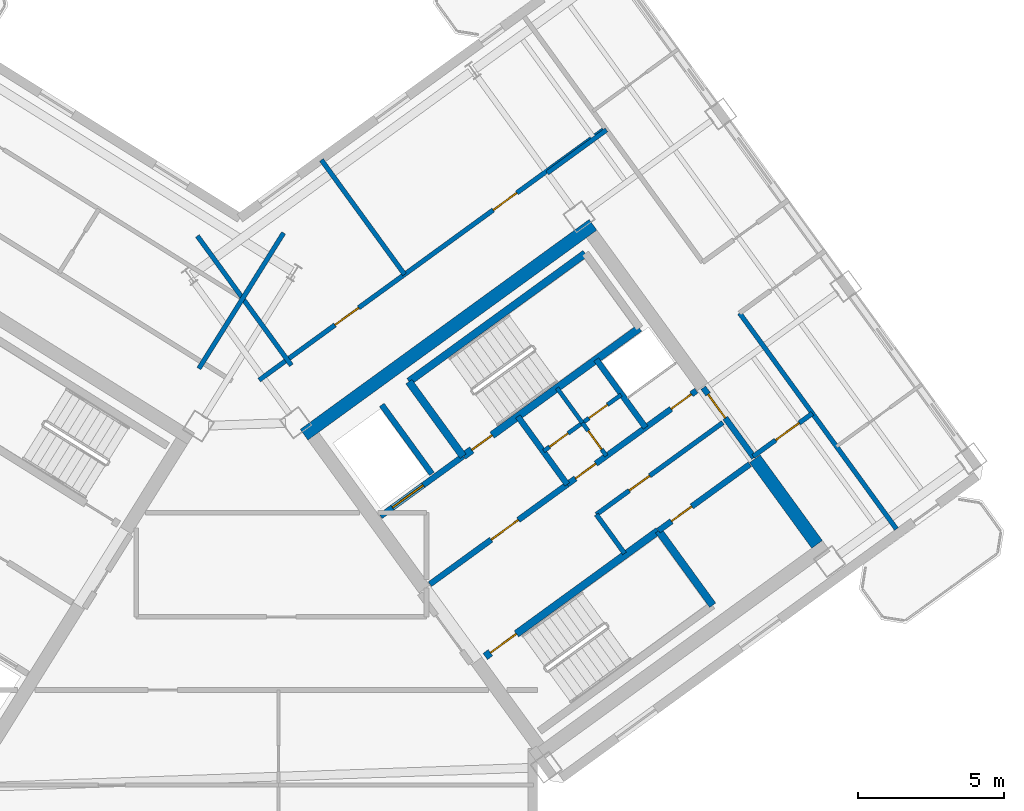
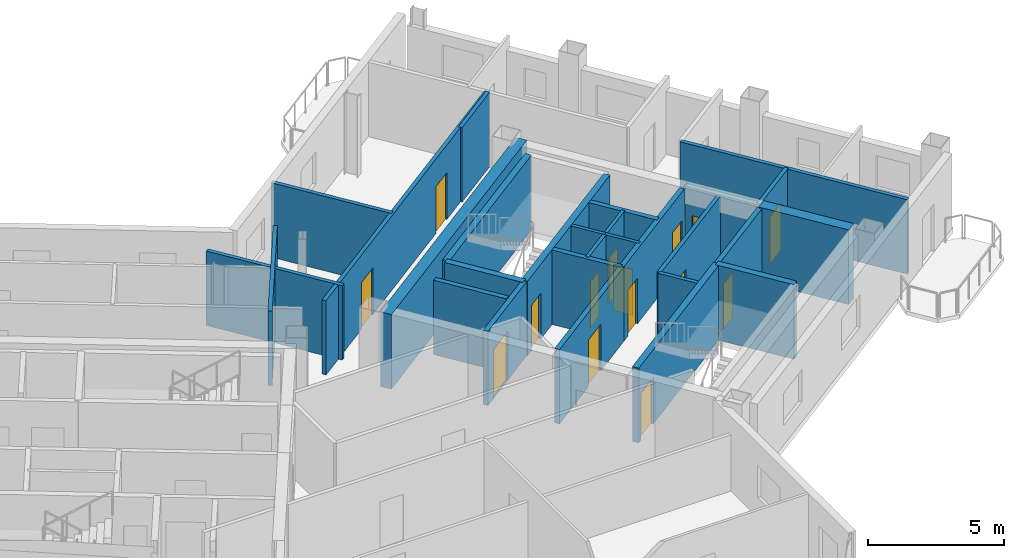
# One storey, part 14 of 20: 27 walls, 15 doors, 15 openings.
"""IFC4 building model written with IfcOpenShell, lengths in metres."""

from ifc_helpers import new_model, si_unit, direction, frame, frame_2d, origin, place, context, subcontext, project, spatial, rectangle, extrude, source, transform, mapped, material, layer, layer_set, type_object, element, fill, save


model = new_model("IFC4")

# Units and contexts
model_context = context("Model", 3, precision=1e-05, world=origin(), true_north=direction((0.0, 1.0)))
body_context = subcontext(model_context, "Body", "Model", "MODEL_VIEW")
ifc_project = project(units=[si_unit("LENGTHUNIT", "METRE"), si_unit("AREAUNIT", "SQUARE_METRE"), si_unit("VOLUMEUNIT", "CUBIC_METRE"), si_unit("PLANEANGLEUNIT", "RADIAN"), si_unit("MASSUNIT", "GRAM", prefix="KILO")], contexts=[model_context])

# Site, building, storey
site_placement = place(None, origin())
site = spatial("IfcSite", under=ifc_project, at=site_placement, CompositionType="ELEMENT")
building_placement = place(site_placement, origin())
building = spatial("IfcBuilding", under=site, at=building_placement, Name="Tlacorven Tower", CompositionType="ELEMENT")
storey_placement = place(building_placement, frame((0.0, 0.0, 211.199951171875)))
storey = spatial("IfcBuildingStorey", under=building, at=storey_placement, Name="L53", CompositionType="ELEMENT", Elevation=211.199951171875)

# Walls
ifc_material_1 = material(Name="Concrete C50/60", Category="concrete")
ifc_layer_1 = layer(ifc_material_1, 0.449951171875)
ifc_layer_set_1 = layer_set([ifc_layer_1], Name="Concrete C50/60")
wall_type_1 = type_object("IfcWallType", Name="WL-COR-450", PredefinedType="SHEAR", material=ifc_layer_set_1)
wall_1_placement = place(storey_placement, frame((44.405517578125, 24.171630859375, 0.0), z_axis=(0.0, 0.0, 1.0), x_axis=(0.809012867805, 0.587790931986, 0.0)))
element("IfcWall", 1, at=wall_1_placement, inside=storey, type_object=wall_type_1, Name="L53 E core shear wall S2", PredefinedType="SHEAR", context=body_context, shape_type="SweptSolid", body=[
    extrude(rectangle(XDim=12.239990234375, YDim=0.449951171875, at=frame_2d((6.1201171875, 0.0))), origin(), (0.0, 0.0, 1.0), 3.35009765625),
])
wall_2_placement = place(storey_placement, frame((61.987548828125, 20.413330078125, 0.0), z_axis=(0.0, 0.0, 1.0), x_axis=(-0.587819244441, 0.808992296542, 0.0)))
element("IfcWall", 2, at=wall_2_placement, inside=storey, type_object=wall_type_1, Name="L53 E core end wall E2.1", PredefinedType="SHEAR", context=body_context, shape_type="SweptSolid", body=[
    extrude(rectangle(XDim=3.625, YDim=0.449951171875, at=frame_2d((1.8125, 0.0))), origin(), (0.0, 0.0, 1.0), 3.35009765625),
])

# Wall, opening, door
ifc_material_2 = material(Name="Gypsum plasterboard acoustic partition", Category="gypsum")
ifc_layer_2 = layer(ifc_material_2, 0.159912109375)
ifc_layer_set_2 = layer_set([ifc_layer_2], Name="Gypsum plasterboard acoustic partition")
wall_type_2 = type_object("IfcWallType", Name="WL-DEM-160", PredefinedType="PARTITIONING", material=ifc_layer_set_2)
wall_3_placement = place(storey_placement, frame((54.421142578125, 21.436279296875, 0.0), z_axis=(0.0, 0.0, 1.0), x_axis=(0.809013710463, 0.587789772183, 0.0)))
wall_3 = element("IfcWall", 3, at=wall_3_placement, inside=storey, type_object=wall_type_2, Name="L53 partition 29", PredefinedType="PARTITIONING", context=body_context, shape_type="SweptSolid", body=[
    extrude(rectangle(XDim=5.360107421875, YDim=0.159912109375, at=frame_2d((2.68017578125, 0.0))), origin(), (0.0, 0.0, 1.0), 3.340087890625),
])
opening_1_placement = place(wall_3_placement, frame((1.39990234375, 0.0, 0.0)))
opening_1 = element("IfcOpeningElement", 4, at=opening_1_placement, cuts=wall_3, Name="Opening D19", PredefinedType="OPENING", context=body_context, shape_type="SweptSolid", body=[
    extrude(rectangle(XDim=0.860107421875, YDim=2.050048828125, at=frame_2d((0.43017578125, 1.02490234375))), frame((0.0, 0.08984375, 0.0), z_axis=(0.0, -1.0, 0.0), x_axis=(1.0, 0.0, 0.0)), (0.0, 0.0, 1.0), 0.179931640625),
])
ifc_material_3 = material(Name="Fire-rated steel door assembly", Category="steel")
door_type_1 = type_object("IfcDoorType", Name="DR-RSR-FD60-0860", OperationType="NOTDEFINED", PredefinedType="DOOR", material=ifc_material_3)
shared_shape_1 = source(origin(), body_context, "Body", "SweptSolid", [
    extrude(rectangle(XDim=0.860107421875, YDim=2.050048828125, at=frame_2d((0.43017578125, 1.02490234375))), frame((0.0, 0.02490234375, 0.0), z_axis=(0.0, -1.0, 0.0), x_axis=(1.0, 0.0, 0.0)), (0.0, 0.0, 1.0), 0.050048828125),
])
door_1_placement = place(opening_1_placement, origin())
door_1 = element("IfcDoor", 5, at=door_1_placement, inside=storey, type_object=door_type_1, Name="L53 Freed Core Store Door", OperationType="SINGLE_SWING_RIGHT", OverallHeight=2.050048828125, OverallWidth=0.860107421875, PredefinedType="DOOR", context=body_context, shape_type="MappedRepresentation", body=[
    mapped(shared_shape_1, transform((0.0, 0.0, 0.0), scale=1.0)),
])
fill(opening_1, door_1)

# Walls
wall_4_placement = place(storey_placement, frame((55.390869140625, 20.1015625, 0.0), z_axis=(0.0, 0.0, 1.0), x_axis=(-0.58778447739, 0.809017557374, 0.0)))
element("IfcWall", 6, at=wall_4_placement, inside=storey, type_object=wall_type_2, Name="L53 partition 30", PredefinedType="PARTITIONING", context=body_context, shape_type="SweptSolid", body=[
    extrude(rectangle(XDim=1.64990234375, YDim=0.159912109375, at=frame_2d((0.824951171875, 0.0))), origin(), (0.0, 0.0, 1.0), 3.340087890625),
])
wall_5_placement = place(storey_placement, frame((43.70361328125, 31.086181640625, 0.0), z_axis=(0.0, 0.0, 1.0), x_axis=(-0.529906828443, -0.848055866774, 0.0)))
element("IfcWall", 7, at=wall_5_placement, inside=storey, type_object=wall_type_2, Name="L53 WC West Throat Wall", PredefinedType="PARTITIONING", context=body_context, shape_type="SweptSolid", body=[
    extrude(rectangle(XDim=5.479736328125, YDim=0.159912109375, at=frame_2d((2.73974609375, 0.0))), origin(), (0.0, 0.0, 1.0), 3.340087890625),
])

# Wall, opening, door
wall_6_placement = place(storey_placement, frame((59.7978515625, 23.427001953125, 0.0), z_axis=(0.0, 0.0, 1.0), x_axis=(0.809034604122, 0.587761013791, 0.0)))
wall_6 = element("IfcWall", 8, at=wall_6_placement, inside=storey, type_object=wall_type_2, Name="L53 partition 75", PredefinedType="PARTITIONING", context=body_context, shape_type="SweptSolid", body=[
    extrude(rectangle(XDim=2.510009765625, YDim=0.159912109375, at=frame_2d((1.2548828125, 0.0))), origin(), (0.0, 0.0, 1.0), 3.340087890625),
])
opening_2_placement = place(wall_6_placement, frame((0.949951171875, 0.0, 0.0)))
opening_2 = element("IfcOpeningElement", 9, at=opening_2_placement, cuts=wall_6, Name="Opening D11", PredefinedType="OPENING", context=body_context, shape_type="SweptSolid", body=[
    extrude(rectangle(XDim=1.0, YDim=2.10009765625, at=frame_2d((0.5, 1.050048828125))), frame((0.0, 0.08984375, 0.0), z_axis=(0.0, -1.0, 0.0), x_axis=(1.0, 0.0, 0.0)), (0.0, 0.0, 1.0), 0.179931640625),
])
door_type_2 = type_object("IfcDoorType", Name="DR-FLT-FD60-1000", OperationType="NOTDEFINED", PredefinedType="DOOR", material=ifc_material_3)
shared_shape_2 = source(origin(), body_context, "Body", "SweptSolid", [
    extrude(rectangle(XDim=1.0, YDim=2.10009765625, at=frame_2d((0.5, 1.050048828125))), frame((0.0, 0.02490234375, 0.0), z_axis=(0.0, -1.0, 0.0), x_axis=(1.0, 0.0, 0.0)), (0.0, 0.0, 1.0), 0.050048828125),
])
door_2_placement = place(opening_2_placement, frame((1.0, 0.0, 0.0), z_axis=(0.0, 0.0, 1.0), x_axis=(-1.0, 0.0, 0.0)))
door_2 = element("IfcDoor", 10, at=door_2_placement, inside=storey, type_object=door_type_2, Name="L53 door 050", OperationType="SINGLE_SWING_RIGHT", OverallHeight=2.10009765625, OverallWidth=1.0, PredefinedType="DOOR", context=body_context, shape_type="MappedRepresentation", body=[
    mapped(shared_shape_2, transform((0.0, 0.0, 0.0), scale=1.0)),
])
fill(opening_2, door_2)

# Walls
wall_7_placement = place(storey_placement, frame((52.73876953125, 33.143310546875, 0.0), z_axis=(0.0, 0.0, 1.0), x_axis=(0.809000999347, 0.58780726693, 0.0)))
element("IfcWall", 11, at=wall_7_placement, inside=storey, type_object=wall_type_2, Name="L53 partition 76", PredefinedType="PARTITIONING", context=body_context, shape_type="SweptSolid", body=[
    extrude(rectangle(XDim=2.510009765625, YDim=0.159912109375, at=frame_2d((1.2548828125, 0.0))), origin(), (0.0, 0.0, 1.0), 3.340087890625),
])
wall_8_placement = place(storey_placement, frame((64.708740234375, 20.93798828125, 0.0), z_axis=(0.0, 0.0, 1.0), x_axis=(-0.587776590479, 0.80902328748, 0.0)))
element("IfcWall", 12, at=wall_8_placement, inside=storey, type_object=wall_type_2, Name="L53 partition 77", PredefinedType="PARTITIONING", context=body_context, shape_type="SweptSolid", body=[
    extrude(rectangle(XDim=9.150146484375, YDim=0.159912109375, at=frame_2d((4.5751953125, 0.0))), origin(), (0.0, 0.0, 1.0), 3.340087890625),
])

# Wall, openings, doors
wall_9_placement = place(storey_placement, frame((42.86572265625, 26.04443359375, 0.0), z_axis=(0.0, 0.0, 1.0), x_axis=(0.809020254154, 0.587780765566, 0.0)))
wall_9 = element("IfcWall", 13, at=wall_9_placement, inside=storey, type_object=wall_type_2, Name="L53 partition 84", PredefinedType="PARTITIONING", context=body_context, shape_type="SweptSolid", body=[
    extrude(rectangle(XDim=14.670166015625, YDim=0.159912109375, at=frame_2d((7.3349609375, 0.0))), origin(), (0.0, 0.0, 1.0), 3.340087890625),
])
opening_3_placement = place(wall_9_placement, frame((3.215087890625, 0.0, 0.0)))
opening_3 = element("IfcOpeningElement", 14, at=opening_3_placement, cuts=wall_9, Name="Opening D11", PredefinedType="OPENING", context=body_context, shape_type="SweptSolid", body=[
    extrude(rectangle(XDim=1.0, YDim=2.10009765625, at=frame_2d((0.5, 1.050048828125))), frame((0.0, 0.08984375, 0.0), z_axis=(0.0, -1.0, 0.0), x_axis=(1.0, 0.0, 0.0)), (0.0, 0.0, 1.0), 0.179931640625),
])
opening_4_placement = place(wall_9_placement, frame((9.9150390625, 0.0, 0.0)))
opening_4 = element("IfcOpeningElement", 15, at=opening_4_placement, cuts=wall_9, Name="Opening D11", PredefinedType="OPENING", context=body_context, shape_type="SweptSolid", body=[
    extrude(rectangle(XDim=1.0, YDim=2.10009765625, at=frame_2d((0.5, 1.050048828125))), frame((0.0, 0.08984375, 0.0), z_axis=(0.0, -1.0, 0.0), x_axis=(1.0, 0.0, 0.0)), (0.0, 0.0, 1.0), 0.179931640625),
])
door_3_placement = place(opening_3_placement, origin())
door_3 = element("IfcDoor", 16, at=door_3_placement, inside=storey, type_object=door_type_2, Name="L53 door 056", OperationType="SINGLE_SWING_RIGHT", OverallHeight=2.10009765625, OverallWidth=1.0, PredefinedType="DOOR", context=body_context, shape_type="MappedRepresentation", body=[
    mapped(shared_shape_2, transform((0.0, 0.0, 0.0), scale=1.0)),
])
fill(opening_3, door_3)
door_4_placement = place(opening_4_placement, origin())
door_4 = element("IfcDoor", 17, at=door_4_placement, inside=storey, type_object=door_type_2, Name="L53 door 057", OperationType="SINGLE_SWING_LEFT", OverallHeight=2.10009765625, OverallWidth=1.0, PredefinedType="DOOR", context=body_context, shape_type="MappedRepresentation", body=[
    mapped(shared_shape_2, transform((0.0, 0.0, 0.0), scale=1.0)),
])
fill(opening_4, door_4)

# Walls
wall_10_placement = place(storey_placement, frame((43.969482421875, 26.549560546875, 0.0), z_axis=(0.0, 0.0, 1.0), x_axis=(-0.587776919386, 0.80902304852, 0.0)))
element("IfcWall", 18, at=wall_10_placement, inside=storey, type_object=wall_type_2, Name="L53 EC West Throat Wall", PredefinedType="PARTITIONING", context=body_context, shape_type="SweptSolid", body=[
    extrude(rectangle(XDim=5.47998046875, YDim=0.159912109375, at=frame_2d((2.739990234375, 0.0))), origin(), (0.0, 0.0, 1.0), 3.340087890625),
])
wall_11_placement = place(storey_placement, frame((47.849365234375, 29.6650390625, 0.0), z_axis=(0.0, 0.0, 1.0), x_axis=(-0.587785532001, 0.809016791155, 0.0)))
element("IfcWall", 19, at=wall_11_placement, inside=storey, type_object=wall_type_2, Name="L53 EC Demising Wall 1", PredefinedType="PARTITIONING", context=body_context, shape_type="SweptSolid", body=[
    extrude(rectangle(XDim=4.85009765625, YDim=0.159912109375, at=frame_2d((2.425048828125, 0.0))), origin(), (0.0, 0.0, 1.0), 3.340087890625),
])

# Wall, opening, door
ifc_material_4 = material(Name="Moisture-resistant gypsum plumbing wall", Category="gypsum")
ifc_layer_3 = layer(ifc_material_4, 0.139892578125)
ifc_layer_set_3 = layer_set([ifc_layer_3], Name="Moisture-resistant gypsum plumbing wall")
wall_type_3 = type_object("IfcWallType", Name="WL-PLM-140", PredefinedType="PLUMBINGWALL", material=ifc_layer_set_3)
wall_12_placement = place(storey_placement, frame((54.767578125, 23.443359375, 0.0), z_axis=(0.0, 0.0, 1.0), x_axis=(-0.587736077749, 0.809052719489, 0.0)))
wall_12 = element("IfcWall", 20, at=wall_12_placement, inside=storey, type_object=wall_type_3, Name="L53 partition 35", PredefinedType="PLUMBINGWALL", context=body_context, shape_type="SweptSolid", body=[
    extrude(rectangle(XDim=1.39990234375, YDim=0.139892578125, at=frame_2d((0.699951171875, 0.0))), origin(), (0.0, 0.0, 1.0), 3.340087890625),
])
opening_5_placement = place(wall_12_placement, frame((0.280029296875, 0.0, 0.0)))
opening_5 = element("IfcOpeningElement", 21, at=opening_5_placement, cuts=wall_12, Name="Opening D22", PredefinedType="OPENING", context=body_context, shape_type="SweptSolid", body=[
    extrude(rectangle(XDim=0.780029296875, YDim=2.050048828125, at=frame_2d((0.39013671875, 1.02490234375))), frame((0.0, 0.080078125, 0.0), z_axis=(0.0, -1.0, 0.0), x_axis=(1.0, 0.0, 0.0)), (0.0, 0.0, 1.0), 0.159912109375),
])
ifc_material_5 = material(Name="Powder-coated aluminium and timber door", Category="wood")
door_type_3 = type_object("IfcDoorType", Name="DR-INT-WET-0780", OperationType="NOTDEFINED", PredefinedType="DOOR", material=ifc_material_5)
shared_shape_3 = source(origin(), body_context, "Body", "SweptSolid", [
    extrude(rectangle(XDim=0.780029296875, YDim=2.050048828125, at=frame_2d((0.39013671875, 1.02490234375))), frame((0.0, 0.02490234375, 0.0), z_axis=(0.0, -1.0, 0.0), x_axis=(1.0, 0.0, 0.0)), (0.0, 0.0, 1.0), 0.050048828125),
])
door_5_placement = place(opening_5_placement, origin())
door_5 = element("IfcDoor", 22, at=door_5_placement, inside=storey, type_object=door_type_3, Name="L53 door 019", OperationType="SINGLE_SWING_RIGHT", OverallHeight=2.050048828125, OverallWidth=0.780029296875, PredefinedType="DOOR", context=body_context, shape_type="MappedRepresentation", body=[
    mapped(shared_shape_3, transform((0.0, 0.0, 0.0), scale=1.0)),
])
fill(opening_5, door_5)

# Wall
wall_13_placement = place(storey_placement, frame((53.94482421875, 24.575927734375, 0.0), z_axis=(0.0, 0.0, 1.0), x_axis=(-0.587897037186, 0.808935766095, 0.0)))
element("IfcWall", 23, at=wall_13_placement, inside=storey, type_object=wall_type_3, Name="L53 partition 36", PredefinedType="PLUMBINGWALL", context=body_context, shape_type="SweptSolid", body=[
    extrude(rectangle(XDim=1.47998046875, YDim=0.139892578125, at=frame_2d((0.739990234375, 0.0))), origin(), (0.0, 0.0, 1.0), 3.340087890625),
])

# Wall, openings, doors
wall_14_placement = place(storey_placement, frame((52.617919921875, 23.612060546875, 0.0), z_axis=(0.0, 0.0, 1.0), x_axis=(0.809009587469, 0.587795446889, 0.0)))
wall_14 = element("IfcWall", 24, at=wall_14_placement, inside=storey, type_object=wall_type_3, Name="L53 partition 37", PredefinedType="PLUMBINGWALL", context=body_context, shape_type="SweptSolid", body=[
    extrude(rectangle(XDim=3.280029296875, YDim=0.139892578125, at=frame_2d((1.64013671875, 0.0))), origin(), (0.0, 0.0, 1.0), 3.340087890625),
])
opening_6_placement = place(wall_14_placement, frame((0.25, 0.0, 0.0)))
opening_6 = element("IfcOpeningElement", 25, at=opening_6_placement, cuts=wall_14, Name="Opening D22", PredefinedType="OPENING", context=body_context, shape_type="SweptSolid", body=[
    extrude(rectangle(XDim=0.780029296875, YDim=2.050048828125, at=frame_2d((0.39013671875, 1.02490234375))), frame((0.0, 0.080078125, 0.0), z_axis=(0.0, -1.0, 0.0), x_axis=(1.0, 0.0, 0.0)), (0.0, 0.0, 1.0), 0.159912109375),
])
opening_7_placement = place(wall_14_placement, frame((1.919921875, 0.0, 0.0)))
opening_7 = element("IfcOpeningElement", 26, at=opening_7_placement, cuts=wall_14, Name="Opening D22", PredefinedType="OPENING", context=body_context, shape_type="SweptSolid", body=[
    extrude(rectangle(XDim=0.780029296875, YDim=2.050048828125, at=frame_2d((0.39013671875, 1.02490234375))), frame((0.0, 0.080078125, 0.0), z_axis=(0.0, -1.0, 0.0), x_axis=(1.0, 0.0, 0.0)), (0.0, 0.0, 1.0), 0.159912109375),
])
door_6_placement = place(opening_6_placement, origin())
door_6 = element("IfcDoor", 27, at=door_6_placement, inside=storey, type_object=door_type_3, Name="L53 door 020", OperationType="SINGLE_SWING_LEFT", OverallHeight=2.050048828125, OverallWidth=0.780029296875, PredefinedType="DOOR", context=body_context, shape_type="MappedRepresentation", body=[
    mapped(shared_shape_3, transform((0.0, 0.0, 0.0), scale=1.0)),
])
fill(opening_6, door_6)
door_7_placement = place(opening_7_placement, origin())
door_7 = element("IfcDoor", 28, at=door_7_placement, inside=storey, type_object=door_type_3, Name="L53 door 021", OperationType="SINGLE_SWING_RIGHT", OverallHeight=2.050048828125, OverallWidth=0.780029296875, PredefinedType="DOOR", context=body_context, shape_type="MappedRepresentation", body=[
    mapped(shared_shape_3, transform((0.0, 0.0, 0.0), scale=1.0)),
])
fill(opening_7, door_7)

# Wall, opening, door
ifc_material_6 = material(Name="Concrete C40/50", Category="concrete")
ifc_layer_4 = layer(ifc_material_6, 0.199951171875)
ifc_layer_set_4 = layer_set([ifc_layer_4], Name="Concrete C40/50")
wall_type_4 = type_object("IfcWallType", Name="WL-SHF-200", PredefinedType="STANDARD", material=ifc_layer_set_4)
wall_15_placement = place(storey_placement, frame((47.02490234375, 21.3779296875, 0.0), z_axis=(0.0, 0.0, 1.0), x_axis=(0.809052869724, 0.587735870941, 0.0)))
wall_15 = element("IfcWall", 29, at=wall_15_placement, inside=storey, type_object=wall_type_4, Name="L53 Core E Firefighting Lift Shaft Front Wall", PredefinedType="STANDARD", context=body_context, shape_type="SweptSolid", body=[
    extrude(rectangle(XDim=3.498046875, YDim=0.199951171875, at=frame_2d((1.7490234375, 0.0))), origin(), (0.0, 0.0, 1.0), 3.340087890625),
])
opening_8_placement = place(wall_15_placement, frame((0.508056640625, 0.0, 0.0)))
opening_8 = element("IfcOpeningElement", 30, at=opening_8_placement, cuts=wall_15, Name="Opening LD03", PredefinedType="OPENING", context=body_context, shape_type="SweptSolid", body=[
    extrude(rectangle(XDim=1.300048828125, YDim=2.199951171875, at=frame_2d((0.64990234375, 1.10009765625))), frame((0.0, 0.10986328125, 0.0), z_axis=(0.0, -1.0, 0.0), x_axis=(1.0, 0.0, 0.0)), (0.0, 0.0, 1.0), 0.219970703125),
])
door_type_4 = type_object("IfcDoorType", Name="DR-LFT-SLID-1300", OperationType="DOUBLE_DOOR_SLIDING", PredefinedType="DOOR", material=ifc_material_3)
shared_shape_4 = source(origin(), body_context, "Body", "SweptSolid", [
    extrude(rectangle(XDim=1.300048828125, YDim=2.199951171875, at=frame_2d((0.64990234375, 1.10009765625))), frame((0.0, 0.02490234375, 0.0), z_axis=(0.0, -1.0, 0.0), x_axis=(1.0, 0.0, 0.0)), (0.0, 0.0, 1.0), 0.050048828125),
])
door_8_placement = place(opening_8_placement, origin())
door_8 = element("IfcDoor", 31, at=door_8_placement, inside=storey, type_object=door_type_4, Name="L53 Lift FFL-E1 Sliding Landing Door", OperationType="DOUBLE_DOOR_SLIDING", OverallHeight=2.199951171875, OverallWidth=1.300048828125, PredefinedType="DOOR", context=body_context, shape_type="MappedRepresentation", body=[
    mapped(shared_shape_4, transform((0.0, 0.0, 0.0), scale=1.0)),
])
fill(opening_8, door_8)

wall_16_placement = place(storey_placement, frame((48.7177734375, 19.0478515625, 0.0), z_axis=(0.0, 0.0, 1.0), x_axis=(0.809017261719, 0.587784884325, 0.0)))
wall_16 = element("IfcWall", 32, at=wall_16_placement, inside=storey, type_object=wall_type_4, Name="L53 Core E Smoke Lobby Wall", PredefinedType="STANDARD", context=body_context, shape_type="SweptSolid", body=[
    extrude(rectangle(XDim=5.81787109375, YDim=0.199951171875, at=frame_2d((2.908935546875, 0.0))), origin(), (0.0, 0.0, 1.0), 3.340087890625),
])
opening_9_placement = place(wall_16_placement, frame((2.597900390625, 0.0, 0.0)))
opening_9 = element("IfcOpeningElement", 33, at=opening_9_placement, cuts=wall_16, Name="Opening D09", PredefinedType="OPENING", context=body_context, shape_type="SweptSolid", body=[
    extrude(rectangle(XDim=1.14990234375, YDim=2.10009765625, at=frame_2d((0.574951171875, 1.050048828125))), frame((0.0, 0.10986328125, 0.0), z_axis=(0.0, -1.0, 0.0), x_axis=(1.0, 0.0, 0.0)), (0.0, 0.0, 1.0), 0.219970703125),
])
door_type_5 = type_object("IfcDoorType", Name="DR-FFL-FD60-1150", OperationType="NOTDEFINED", PredefinedType="DOOR", material=ifc_material_3)
shared_shape_5 = source(origin(), body_context, "Body", "SweptSolid", [
    extrude(rectangle(XDim=1.14990234375, YDim=2.10009765625, at=frame_2d((0.574951171875, 1.050048828125))), frame((0.0, 0.02490234375, 0.0), z_axis=(0.0, -1.0, 0.0), x_axis=(1.0, 0.0, 0.0)), (0.0, 0.0, 1.0), 0.050048828125),
])
door_9_placement = place(opening_9_placement, origin())
door_9 = element("IfcDoor", 34, at=door_9_placement, inside=storey, type_object=door_type_5, Name="L53 Firefighting Lobby E Fire Door", OperationType="SINGLE_SWING_RIGHT", OverallHeight=2.10009765625, OverallWidth=1.14990234375, PredefinedType="DOOR", context=body_context, shape_type="MappedRepresentation", body=[
    mapped(shared_shape_5, transform((0.0, 0.0, 0.0), scale=1.0)),
])
fill(opening_9, door_9)

wall_17_placement = place(storey_placement, frame((56.552978515625, 20.884033203125, 0.0), z_axis=(0.0, 0.0, 1.0), x_axis=(0.809041669066, 0.587751288995, 0.0)))
wall_17 = element("IfcWall", 35, at=wall_17_placement, inside=storey, type_object=wall_type_4, Name="L53 Core E South Lift Shaft Wall", PredefinedType="STANDARD", context=body_context, shape_type="SweptSolid", body=[
    extrude(rectangle(XDim=3.867919921875, YDim=0.199951171875, at=frame_2d((1.93408203125, 0.0))), origin(), (0.0, 0.0, 1.0), 3.340087890625),
])
opening_10_placement = place(wall_17_placement, frame((0.550048828125, 0.0, 0.0)))
opening_10 = element("IfcOpeningElement", 36, at=opening_10_placement, cuts=wall_17, Name="Opening D19", PredefinedType="OPENING", context=body_context, shape_type="SweptSolid", body=[
    extrude(rectangle(XDim=0.860107421875, YDim=2.050048828125, at=frame_2d((0.43017578125, 1.02490234375))), frame((0.0, 0.10986328125, 0.0), z_axis=(0.0, -1.0, 0.0), x_axis=(1.0, 0.0, 0.0)), (0.0, 0.0, 1.0), 0.219970703125),
])
door_10_placement = place(opening_10_placement, origin())
door_10 = element("IfcDoor", 37, at=door_10_placement, inside=storey, type_object=door_type_1, Name="L53 East Telecoms Riser Access Door", OperationType="SINGLE_SWING_LEFT", OverallHeight=2.050048828125, OverallWidth=0.860107421875, PredefinedType="DOOR", context=body_context, shape_type="MappedRepresentation", body=[
    mapped(shared_shape_1, transform((0.0, 0.0, 0.0), scale=1.0)),
])
fill(opening_10, door_10)

# Walls
wall_18_placement = place(storey_placement, frame((48.78564453125, 22.830078125, 0.0), z_axis=(0.0, 0.0, 1.0), x_axis=(-0.587783856777, 0.809018008275, 0.0)))
element("IfcWall", 38, at=wall_18_placement, inside=storey, type_object=wall_type_4, Name="L53 partition 31", PredefinedType="STANDARD", context=body_context, shape_type="SweptSolid", body=[
    extrude(rectangle(XDim=2.919921875, YDim=0.199951171875, at=frame_2d((1.4599609375, 0.0))), origin(), (0.0, 0.0, 1.0), 3.340087890625),
])
wall_19_placement = place(storey_placement, frame((53.424560546875, 22.467529296875, 0.0), z_axis=(0.0, 0.0, 1.0), x_axis=(-0.5877230039, 0.809062216821, 0.0)))
element("IfcWall", 39, at=wall_19_placement, inside=storey, type_object=wall_type_4, Name="L53 partition 32", PredefinedType="STANDARD", context=body_context, shape_type="SweptSolid", body=[
    extrude(rectangle(XDim=2.8798828125, YDim=0.199951171875, at=frame_2d((1.43994140625, 0.0))), origin(), (0.0, 0.0, 1.0), 3.340087890625),
])
wall_20_placement = place(storey_placement, frame((56.110595703125, 24.4189453125, 0.0), z_axis=(0.0, 0.0, 1.0), x_axis=(-0.58777848983, 0.809021907548, 0.0)))
element("IfcWall", 40, at=wall_20_placement, inside=storey, type_object=wall_type_4, Name="L53 partition 33", PredefinedType="STANDARD", context=body_context, shape_type="SweptSolid", body=[
    extrude(rectangle(XDim=2.880126953125, YDim=0.199951171875, at=frame_2d((1.43994140625, 0.0))), origin(), (0.0, 0.0, 1.0), 3.340087890625),
])

# Wall, openings, doors
wall_21_placement = place(storey_placement, frame((53.424560546875, 22.467529296875, 0.0), z_axis=(0.0, 0.0, 1.0), x_axis=(0.809015945709, 0.587786695655, 0.0)))
wall_21 = element("IfcWall", 41, at=wall_21_placement, inside=storey, type_object=wall_type_4, Name="L53 Core E North Service Wall", PredefinedType="STANDARD", context=body_context, shape_type="SweptSolid", body=[
    extrude(rectangle(XDim=5.46826171875, YDim=0.199951171875, at=frame_2d((2.734130859375, 0.0))), origin(), (0.0, 0.0, 1.0), 3.340087890625),
])
opening_11_placement = place(wall_21_placement, frame((4.39990234375, 0.0, 0.0)))
opening_11 = element("IfcOpeningElement", 42, at=opening_11_placement, cuts=wall_21, Name="Opening D19", PredefinedType="OPENING", context=body_context, shape_type="SweptSolid", body=[
    extrude(rectangle(XDim=0.860107421875, YDim=2.050048828125, at=frame_2d((0.43017578125, 1.02490234375))), frame((0.0, 0.10986328125, 0.0), z_axis=(0.0, -1.0, 0.0), x_axis=(1.0, 0.0, 0.0)), (0.0, 0.0, 1.0), 0.219970703125),
])
opening_12_placement = place(wall_21_placement, frame((0.35009765625, 0.0, 0.0)))
opening_12 = element("IfcOpeningElement", 43, at=opening_12_placement, cuts=wall_21, Name="Opening D19", PredefinedType="OPENING", context=body_context, shape_type="SweptSolid", body=[
    extrude(rectangle(XDim=0.860107421875, YDim=2.050048828125, at=frame_2d((0.43017578125, 1.02490234375))), frame((0.0, 0.10986328125, 0.0), z_axis=(0.0, -1.0, 0.0), x_axis=(1.0, 0.0, 0.0)), (0.0, 0.0, 1.0), 0.219970703125),
])
door_11_placement = place(opening_11_placement, frame((0.860107421875, 0.0, 0.0), z_axis=(0.0, 0.0, 1.0), x_axis=(-1.0, 0.0, 0.0)))
door_11 = element("IfcDoor", 44, at=door_11_placement, inside=storey, type_object=door_type_1, Name="L53 Electrical Riser Access Door E", OperationType="SINGLE_SWING_RIGHT", OverallHeight=2.050048828125, OverallWidth=0.860107421875, PredefinedType="DOOR", context=body_context, shape_type="MappedRepresentation", body=[
    mapped(shared_shape_1, transform((0.0, 0.0, 0.0), scale=1.0)),
])
fill(opening_11, door_11)
door_12_placement = place(opening_12_placement, frame((0.860107421875, 0.0, 0.0), z_axis=(0.0, 0.0, 1.0), x_axis=(-1.0, 0.0, 0.0)))
door_12 = element("IfcDoor", 45, at=door_12_placement, inside=storey, type_object=door_type_1, Name="L53 Cleaning Room Access Door E", OperationType="SINGLE_SWING_LEFT", OverallHeight=2.050048828125, OverallWidth=0.860107421875, PredefinedType="DOOR", context=body_context, shape_type="MappedRepresentation", body=[
    mapped(shared_shape_1, transform((0.0, 0.0, 0.0), scale=1.0)),
])
fill(opening_12, door_12)

# Wall, opening, door
wall_22_placement = place(storey_placement, frame((59.827392578125, 23.386474609375, 0.0), z_axis=(0.0, 0.0, 1.0), x_axis=(-0.587803840107, 0.809003489211, 0.0)))
wall_22 = element("IfcWall", 46, at=wall_22_placement, inside=storey, type_object=wall_type_4, Name="L53 partition 74", PredefinedType="STANDARD", context=body_context, shape_type="SweptSolid", body=[
    extrude(rectangle(XDim=2.960205078125, YDim=0.199951171875, at=frame_2d((1.47998046875, 0.0))), origin(), (0.0, 0.0, 1.0), 3.340087890625),
])
opening_13_placement = place(wall_22_placement, frame((1.679931640625, 0.0, 0.0)))
opening_13 = element("IfcOpeningElement", 47, at=opening_13_placement, cuts=wall_22, Name="Opening D11", PredefinedType="OPENING", context=body_context, shape_type="SweptSolid", body=[
    extrude(rectangle(XDim=1.0, YDim=2.10009765625, at=frame_2d((0.5, 1.050048828125))), frame((0.0, 0.10986328125, 0.0), z_axis=(0.0, -1.0, 0.0), x_axis=(1.0, 0.0, 0.0)), (0.0, 0.0, 1.0), 0.219970703125),
])
door_13_placement = place(opening_13_placement, origin())
door_13 = element("IfcDoor", 48, at=door_13_placement, inside=storey, type_object=door_type_2, Name="L53 door 051", OperationType="SINGLE_SWING_LEFT", OverallHeight=2.10009765625, OverallWidth=1.0, PredefinedType="DOOR", context=body_context, shape_type="MappedRepresentation", body=[
    mapped(shared_shape_2, transform((0.0, 0.0, 0.0), scale=1.0)),
])
fill(opening_13, door_13)

# Wall
ifc_layer_5 = layer(ifc_material_1, 0.260009765625)
ifc_layer_set_5 = layer_set([ifc_layer_5], Name="Concrete C50/60")
wall_type_5 = type_object("IfcWallType", Name="WL-STW-260", PredefinedType="SHEAR", material=ifc_layer_set_5)
wall_23_placement = place(storey_placement, frame((48.005615234375, 25.996337890625, 0.0), z_axis=(0.0, 0.0, 1.0), x_axis=(0.80901903764, 0.587782439969, 0.0)))
element("IfcWall", 49, at=wall_23_placement, inside=storey, type_object=wall_type_5, Name="L53 Stair E1 Far Shear Wall", PredefinedType="SHEAR", context=body_context, shape_type="SweptSolid", body=[
    extrude(rectangle(XDim=7.4599609375, YDim=0.260009765625, at=frame_2d((3.72998046875, 0.0))), origin(), (0.0, 0.0, 1.0), 3.35009765625),
])

# Wall, opening, door
wall_24_placement = place(storey_placement, frame((49.863037109375, 23.439697265625, 0.0), z_axis=(0.0, 0.0, 1.0), x_axis=(0.809003474932, 0.587803859759, 0.0)))
wall_24 = element("IfcWall", 50, at=wall_24_placement, inside=storey, type_object=wall_type_5, Name="L53 Stair E1 Lobby Shear Wall", PredefinedType="SHEAR", context=body_context, shape_type="SweptSolid", body=[
    extrude(rectangle(XDim=7.4599609375, YDim=0.260009765625, at=frame_2d((3.72998046875, 0.0))), origin(), (0.0, 0.0, 1.0), 3.35009765625),
])
opening_14_placement = place(wall_24_placement, frame((0.360107421875, 0.0, 0.0)))
opening_14 = element("IfcOpeningElement", 51, at=opening_14_placement, cuts=wall_24, Name="Opening D19", PredefinedType="OPENING", context=body_context, shape_type="SweptSolid", body=[
    extrude(rectangle(XDim=0.860107421875, YDim=2.050048828125, at=frame_2d((0.43017578125, 1.02490234375))), frame((0.0, 0.14013671875, 0.0), z_axis=(0.0, -1.0, 0.0), x_axis=(1.0, 0.0, 0.0)), (0.0, 0.0, 1.0), 0.280029296875),
])
door_14_placement = place(opening_14_placement, frame((0.860107421875, 0.0, 0.0), z_axis=(0.0, 0.0, 1.0), x_axis=(-1.0, 0.0, 0.0)))
door_14 = element("IfcDoor", 52, at=door_14_placement, inside=storey, type_object=door_type_1, Name="L53 Exit Stair E1 Fire Door", OperationType="SINGLE_SWING_LEFT", OverallHeight=2.050048828125, OverallWidth=0.860107421875, PredefinedType="DOOR", context=body_context, shape_type="MappedRepresentation", body=[
    mapped(shared_shape_1, transform((0.0, 0.0, 0.0), scale=1.0)),
])
fill(opening_14, door_14)

# Wall
wall_25_placement = place(storey_placement, frame((49.85498046875, 23.433837890625, 0.0), z_axis=(0.0, 0.0, 1.0), x_axis=(-0.58776738483, 0.809029975545, 0.0)))
element("IfcWall", 53, at=wall_25_placement, inside=storey, type_object=wall_type_5, Name="L53 Stair E1 West Shear Wall", PredefinedType="SHEAR", context=body_context, shape_type="SweptSolid", body=[
    extrude(rectangle(XDim=3.16015625, YDim=0.260009765625, at=frame_2d((1.580078125, 0.0))), origin(), (0.0, 0.0, 1.0), 3.35009765625),
])

# Wall, opening, door
wall_26_placement = place(storey_placement, frame((50.61474609375, 16.569580078125, 0.0), z_axis=(0.0, 0.0, 1.0), x_axis=(0.809028366311, 0.587769599847, 0.0)))
wall_26 = element("IfcWall", 54, at=wall_26_placement, inside=storey, type_object=wall_type_5, Name="L53 Stair E2 Lobby Shear Wall", PredefinedType="SHEAR", context=body_context, shape_type="SweptSolid", body=[
    extrude(rectangle(XDim=7.330078125, YDim=0.260009765625, at=frame_2d((3.6650390625, 0.0))), origin(), (0.0, 0.0, 1.0), 3.35009765625),
])
opening_15_placement = place(wall_26_placement, frame((0.219970703125, 0.0, 0.0)))
opening_15 = element("IfcOpeningElement", 55, at=opening_15_placement, cuts=wall_26, Name="Opening D07", PredefinedType="OPENING", context=body_context, shape_type="SweptSolid", body=[
    extrude(rectangle(XDim=1.10009765625, YDim=2.10009765625, at=frame_2d((0.550048828125, 1.050048828125))), frame((0.0, 0.14013671875, 0.0), z_axis=(0.0, -1.0, 0.0), x_axis=(1.0, 0.0, 0.0)), (0.0, 0.0, 1.0), 0.280029296875),
])
door_type_6 = type_object("IfcDoorType", Name="DR-STR-FD90-1100", OperationType="NOTDEFINED", PredefinedType="DOOR", material=ifc_material_3)
shared_shape_6 = source(origin(), body_context, "Body", "SweptSolid", [
    extrude(rectangle(XDim=1.10009765625, YDim=2.10009765625, at=frame_2d((0.550048828125, 1.050048828125))), frame((0.0, 0.02490234375, 0.0), z_axis=(0.0, -1.0, 0.0), x_axis=(1.0, 0.0, 0.0)), (0.0, 0.0, 1.0), 0.050048828125),
])
door_15_placement = place(opening_15_placement, origin())
door_15 = element("IfcDoor", 56, at=door_15_placement, inside=storey, type_object=door_type_6, Name="L53 Exit Stair E2 Fire Door", OperationType="SINGLE_SWING_LEFT", OverallHeight=2.10009765625, OverallWidth=1.10009765625, PredefinedType="DOOR", context=body_context, shape_type="MappedRepresentation", body=[
    mapped(shared_shape_6, transform((0.0, 0.0, 0.0), scale=1.0)),
])
fill(opening_15, door_15)

# Wall
wall_27_placement = place(storey_placement, frame((58.410400390625, 18.327392578125, 0.0), z_axis=(0.0, 0.0, 1.0), x_axis=(-0.58776738483, 0.809029975545, 0.0)))
element("IfcWall", 57, at=wall_27_placement, inside=storey, type_object=wall_type_5, Name="L53 Stair E2 East Shear Wall", PredefinedType="SHEAR", context=body_context, shape_type="SweptSolid", body=[
    extrude(rectangle(XDim=3.16015625, YDim=0.260009765625, at=frame_2d((1.580078125, 0.0))), origin(), (0.0, 0.0, 1.0), 3.35009765625),
])

save(model, "model.ifc")
